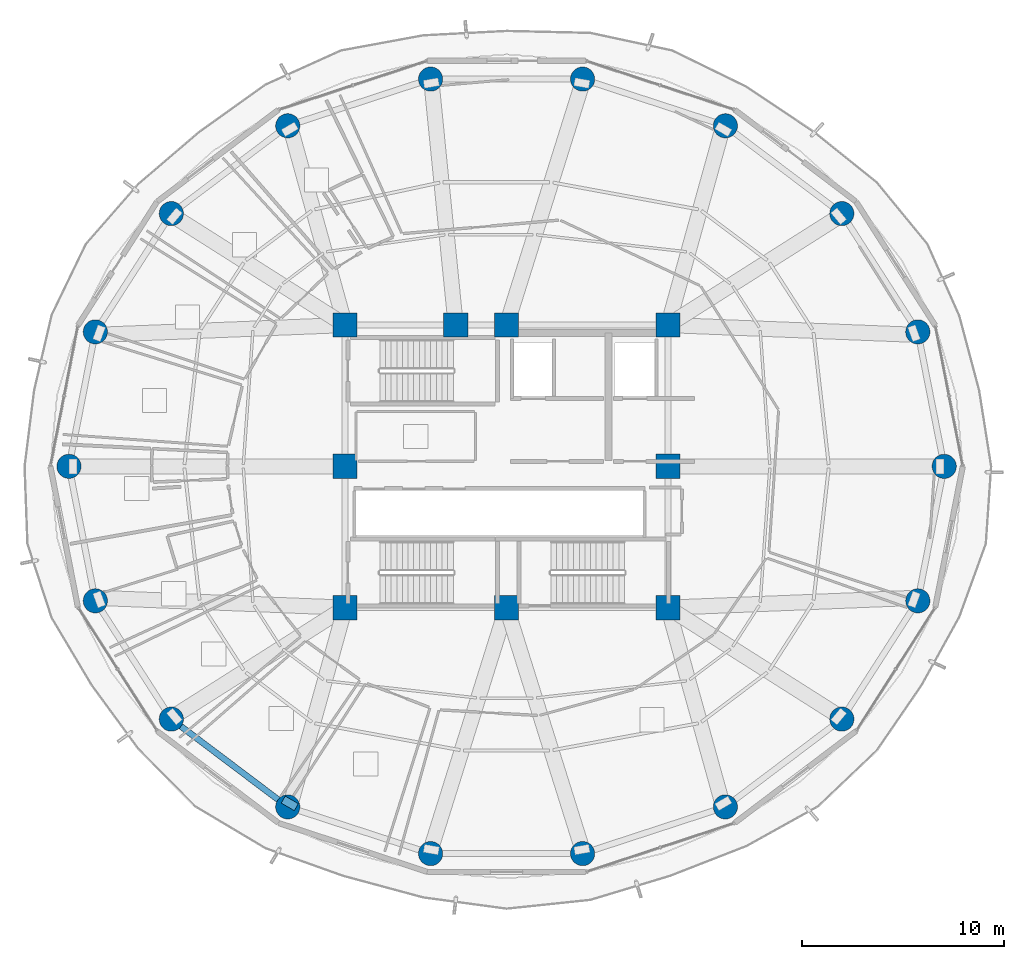
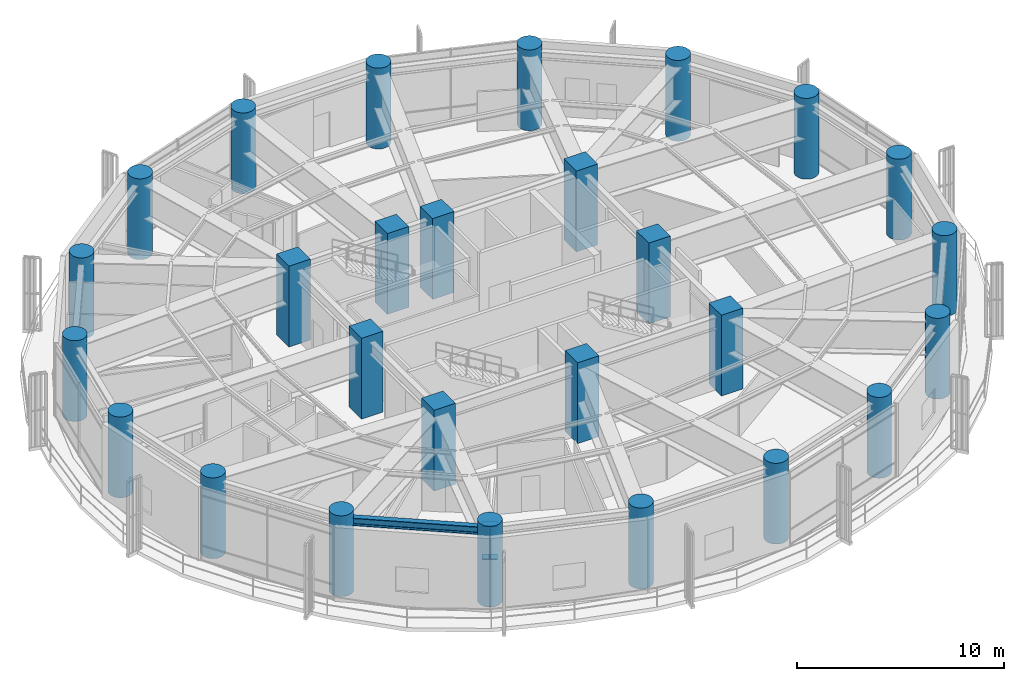
# One storey, part 1 of 28: 27 columns, 2 beams.
"""IFC4 building model written with IfcOpenShell, lengths in metres."""

from ifc_helpers import new_model, si_unit, direction, frame, origin, origin_2d, place, context, subcontext, project, spatial, rectangle, circle, i_section, extrude, material, material_profile, profile_set, type_object, element, save


model = new_model("IFC4")

# Units and contexts
model_context = context("Model", 3, precision=1e-05, world=origin(), true_north=direction((0.0, 1.0)))
body_context = subcontext(model_context, "Body", "Model", "MODEL_VIEW")
ifc_project = project(units=[si_unit("LENGTHUNIT", "METRE"), si_unit("AREAUNIT", "SQUARE_METRE"), si_unit("VOLUMEUNIT", "CUBIC_METRE"), si_unit("PLANEANGLEUNIT", "RADIAN"), si_unit("MASSUNIT", "GRAM", prefix="KILO")], contexts=[model_context])

# Site, building, storey
site_placement = place(None, origin())
site = spatial("IfcSite", under=ifc_project, at=site_placement, CompositionType="ELEMENT")
building_placement = place(site_placement, origin())
building = spatial("IfcBuilding", under=site, at=building_placement, Name="Kelanora Arch Commons", CompositionType="ELEMENT")
storey_placement = place(building_placement, frame((0.0, 0.0, 184.35009765625)))
storey = spatial("IfcBuildingStorey", under=building, at=storey_placement, Name="L47", CompositionType="ELEMENT", Elevation=184.35009765625)

# Columns
ifc_material_1 = material(Name="Concrete C50/60", Category="concrete")
ifc_material_profile_1 = material_profile(ifc_material_1, circle(Radius=0.60009765625, at=origin_2d()), Name="RCC1200")
ifc_profile_set_1 = profile_set([ifc_material_profile_1], Name="Concrete C50/60")
column_type_1 = type_object("IfcColumnType", Name="COL-PERIM-Z3", PredefinedType="COLUMN", material=ifc_profile_set_1)
for number, where, z_axis, x_axis, name in (
    (1, (95.679931640625, 58.0, 0.0), (0.0, 0.0, 1.0), (1.0, 0.0, 0.0), "Perimeter Ring Column CP-00 L47"),
    (2, (94.37255859375, 64.66259765625, 0.0), (0.0, 0.0, 1.0), (1.0, 0.0, 0.0), "Perimeter Ring Column CP-02 L47"),
    (3, (90.60791015625, 70.521484375, 0.0), (0.0, 0.0, 1.0), (1.0, 0.0, 0.0), "Perimeter Ring Column CP-04 L47"),
    (4, (84.840087890625, 74.8701171875, 0.0), (0.0, 0.0, 1.0), (1.0, 0.0, 0.0), "Perimeter Ring Column CP-06 L47"),
    (5, (77.7646484375, 77.18408203125, 0.0), (0.0, 0.0, 1.0), (1.0, 0.0, 0.0), "Perimeter Ring Column CP-08 L47"),
    (6, (70.2353515625, 77.18408203125, 0.0), (0.0, 0.0, 1.0), (1.0, 0.0, 0.0), "Perimeter Ring Column CP-10 L47"),
    (7, (63.159912109375, 74.8701171875, 0.0), (0.0, 0.0, 1.0), (1.0, 0.0, 0.0), "Perimeter Ring Column CP-12 L47"),
    (8, (57.39208984375, 70.521484375, 0.0), (0.0, 0.0, 1.0), (1.0, 0.0, 0.0), "Perimeter Ring Column CP-14 L47"),
    (9, (53.62744140625, 64.66259765625, 0.0), (0.0, 0.0, 1.0), (1.0, 0.0, 0.0), "Perimeter Ring Column CP-16 L47"),
    (10, (52.320068359375, 58.0, 0.0), (0.0, 0.0, 1.0), (1.0, 0.0, 0.0), "Perimeter Ring Column CP-18 L47"),
    (11, (53.62744140625, 51.33740234375, 0.0), (0.0, 0.0, 1.0), (1.0, 0.0, 0.0), "Perimeter Ring Column CP-20 L47"),
    (12, (57.39208984375, 45.478515625, 0.0), (0.0, 0.0, 1.0), (1.0, 0.0, 0.0), "Perimeter Ring Column CP-22 L47"),
    (13, (63.159912109375, 41.1298828125, 0.0), (0.0, 0.0, 1.0), (1.0, 0.0, 0.0), "Perimeter Ring Column CP-24 L47"),
    (14, (70.2353515625, 38.81591796875, 0.0), (0.0, 0.0, 1.0), (1.0, 0.0, 0.0), "Perimeter Ring Column CP-26 L47"),
    (15, (77.7646484375, 38.81591796875, 0.0), (0.0, 0.0, 1.0), (1.0, 0.0, 0.0), "Perimeter Ring Column CP-28 L47"),
    (16, (84.840087890625, 41.1298828125, 0.0), (0.0, 0.0, 1.0), (1.0, 0.0, 0.0), "Perimeter Ring Column CP-30 L47"),
    (17, (90.60791015625, 45.478515625, 0.0), (0.0, 0.0, 1.0), (1.0, 0.0, 0.0), "Perimeter Ring Column CP-32 L47"),
    (18, (94.37255859375, 51.33740234375, 0.0), (0.0, 0.0, 1.0), (1.0, 0.0, 0.0), "Perimeter Ring Column CP-34 L47"),
):
    element("IfcColumn", number, at=place(storey_placement, frame(where, z_axis=z_axis, x_axis=x_axis)), inside=storey, type_object=column_type_1, Name=name, PredefinedType="COLUMN", context=body_context, shape_type="SweptSolid", body=[
        extrude(circle(Radius=0.60009765625, at=origin_2d()), origin(), (0.0, 0.0, 1.0), 4.760009765625),
    ])
ifc_material_2 = material(Name="Concrete C60/75", Category="concrete")
ifc_material_profile_2 = material_profile(ifc_material_2, rectangle(XDim=1.199951171875, YDim=1.199951171875, at=origin_2d()), Name="RC1200x1200")
ifc_profile_set_2 = profile_set([ifc_material_profile_2], Name="Concrete C60/75")
column_type_2 = type_object("IfcColumnType", Name="COL-PIL-MID", PredefinedType="PILASTER", material=ifc_profile_set_2)
for number, where, z_axis, x_axis, name in (
    (19, (66.0, 51.0, 0.0), (0.0, 0.0, 1.0), (1.0, 0.0, 0.0), "Core Pilaster Column CP1 L47"),
    (20, (74.0, 51.0, 0.0), (0.0, 0.0, 1.0), (1.0, 0.0, 0.0), "Core Pilaster Column CP2 L47"),
    (21, (82.0, 51.0, 0.0), (0.0, 0.0, 1.0), (1.0, 0.0, 0.0), "Core Pilaster Column CP3 L47"),
    (22, (82.0, 58.0, 0.0), (0.0, 0.0, 1.0), (1.0, 0.0, 0.0), "Core Pilaster Column CP4 L47"),
    (23, (82.0, 65.0, 0.0), (0.0, 0.0, 1.0), (1.0, 0.0, 0.0), "Core Pilaster Column CP5 L47"),
    (24, (74.0, 65.0, 0.0), (0.0, 0.0, 1.0), (1.0, 0.0, 0.0), "Core Pilaster Column CP6 L47"),
    (25, (71.47998046875, 65.0, 0.0), (0.0, 0.0, 1.0), (1.0, 0.0, 0.0), "Core Pilaster Column CP9 L47"),
    (26, (66.0, 65.0, 0.0), (0.0, 0.0, 1.0), (1.0, 0.0, 0.0), "Core Pilaster Column CP7 L47"),
    (27, (66.0, 58.0, 0.0), (0.0, 0.0, 1.0), (1.0, 0.0, 0.0), "Core Pilaster Column CP8 L47"),
):
    element("IfcColumn", number, at=place(storey_placement, frame(where, z_axis=z_axis, x_axis=x_axis)), inside=storey, type_object=column_type_2, Name=name, PredefinedType="PILASTER", context=body_context, shape_type="SweptSolid", body=[
        extrude(rectangle(XDim=1.199951171875, YDim=1.199951171875, at=origin_2d()), origin(), (0.0, 0.0, 1.0), 4.760009765625),
    ])

# Beams
ifc_material_3 = material(Name="Steel S355", Category="steel")
ifc_material_profile_3 = material_profile(ifc_material_3, i_section(OverallWidth=0.300048828125, OverallDepth=0.449951171875, WebThickness=0.013916015625, FlangeThickness=0.02587890625, FilletRadius=0.027099609375, at=origin_2d()), Name="HEB450")
ifc_profile_set_3 = profile_set([ifc_material_profile_3], Name="Steel S355")
beam_type_1 = type_object("IfcBeamType", Name="BM-SPN-Z3", PredefinedType="SPANDREL", material=ifc_profile_set_3)
beam_1_placement = place(storey_placement, frame((57.39208984375, 45.478515625, 4.135009765625), z_axis=(0.798484645564, -0.60201517489, 0.0), x_axis=(0.60201517489, 0.798484645564, 0.0)))
element("IfcBeam", 28, at=beam_1_placement, inside=storey, type_object=beam_type_1, Name="Perimeter Spandrel Beam BS-22 L47", PredefinedType="SPANDREL", context=body_context, shape_type="SweptSolid", body=[
    extrude(i_section(OverallWidth=0.300048828125, OverallDepth=0.449951171875, WebThickness=0.013916015625, FlangeThickness=0.02587890625, FilletRadius=0.027099609375, at=origin_2d()), origin(), (0.0, 0.0, 1.0), 7.223388671875),
])
ifc_material_profile_4 = material_profile(ifc_material_3, i_section(OverallWidth=0.75, OverallDepth=2.0, WebThickness=0.034912109375, FlangeThickness=0.06005859375, FilletRadius=0.028076171875, at=origin_2d()), Name="PG2000x750")
ifc_profile_set_4 = profile_set([ifc_material_profile_4], Name="Steel S355")
beam_type_2 = type_object("IfcBeamType", Name="BM-XFER-SET", PredefinedType="USERDEFINED", material=ifc_profile_set_4)
beam_2_placement = place(storey_placement, frame((63.360107421875, 41.476318359375, 3.35986328125), z_axis=(-0.500338590944, -0.865829829939, 0.0), x_axis=(0.865829829939, -0.500338590944, 0.0)))
element("IfcBeam", 29, at=beam_2_placement, inside=storey, type_object=beam_type_2, Name="Radial Floor Girder BR-24 L47", ObjectType="TRANSFER_GIRDER", PredefinedType="USERDEFINED", context=body_context, shape_type="SweptSolid", body=[
    extrude(i_section(OverallWidth=0.75, OverallDepth=2.0, WebThickness=0.034912109375, FlangeThickness=0.06005859375, FilletRadius=0.028076171875, at=origin_2d()), origin(), (0.0, 0.0, 1.0), 0.400146484375),
])

save(model, "model.ifc")
